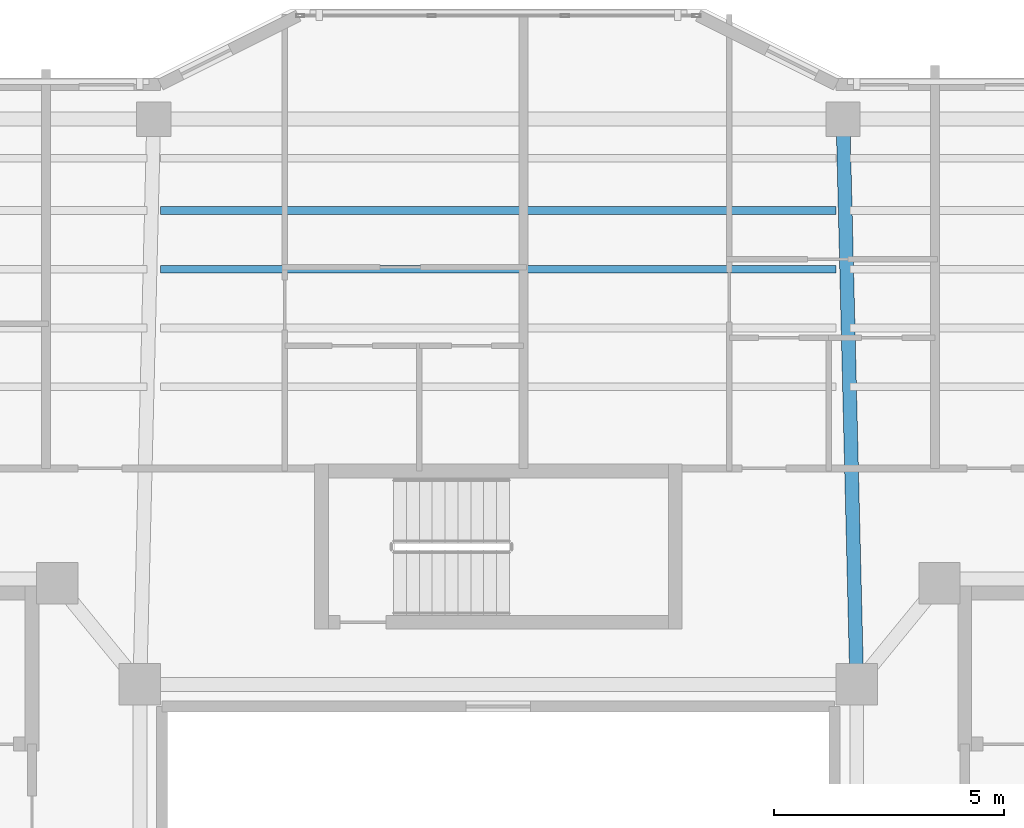
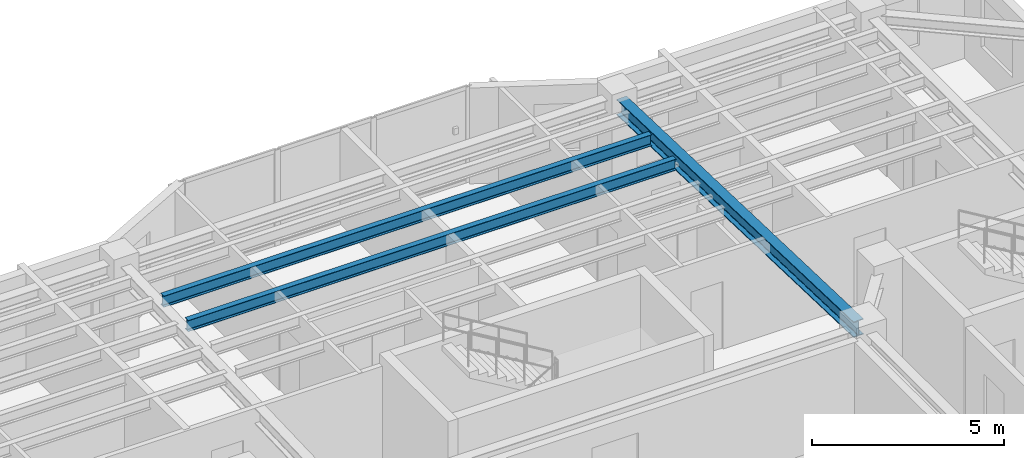
# One storey, part 2 of 13: 3 beams.
"""IFC4 building model written with IfcOpenShell, lengths in metres."""

from ifc_helpers import new_model, si_unit, direction, frame, origin, origin_2d, place, context, subcontext, project, spatial, i_section, extrude, material, material_profile, profile_set, type_object, element, save


model = new_model("IFC4")

# Units and contexts
model_context = context("Model", 3, precision=1e-05, world=origin(), true_north=direction((0.0, 1.0)))
body_context = subcontext(model_context, "Body", "Model", "MODEL_VIEW")
ifc_project = project(units=[si_unit("LENGTHUNIT", "METRE"), si_unit("AREAUNIT", "SQUARE_METRE"), si_unit("VOLUMEUNIT", "CUBIC_METRE"), si_unit("PLANEANGLEUNIT", "RADIAN"), si_unit("MASSUNIT", "GRAM", prefix="KILO")], contexts=[model_context])

# Site, building, storey
site_placement = place(None, origin())
site = spatial("IfcSite", under=ifc_project, at=site_placement, CompositionType="ELEMENT")
building_placement = place(site_placement, origin())
building = spatial("IfcBuilding", under=site, at=building_placement, Name="Tarnavaz Court Tower", CompositionType="ELEMENT")
storey_placement = place(building_placement, frame((0.0, 0.0, 223.75)))
storey = spatial("IfcBuildingStorey", under=building, at=storey_placement, Name="L61", CompositionType="ELEMENT", Elevation=223.75)

# Beams
ifc_material = material(Name="Steel S355", Category="steel")
ifc_material_profile_1 = material_profile(ifc_material, i_section(OverallWidth=0.300048828125, OverallDepth=0.5, WebThickness=0.014404296875, FlangeThickness=0.028076171875, FilletRadius=0.027099609375, at=origin_2d()), Name="HEB 500")
ifc_profile_set_1 = profile_set([ifc_material_profile_1], Name="Steel S355")
beam_type_1 = type_object("IfcBeamType", Name="BM-G-HEB500", PredefinedType="USERDEFINED", material=ifc_profile_set_1)
beam_placement = place(storey_placement, frame((7.794677734375, 8.02001953125, 2.800048828125), z_axis=(-0.024386002211, 0.99970261723, 0.0), x_axis=(-0.99970261723, -0.024386002211, 0.0)))
element("IfcBeam", 1, at=beam_placement, inside=storey, type_object=beam_type_1, Name="L61 Beam RG-03", ObjectType="GIRDER", PredefinedType="USERDEFINED", context=body_context, shape_type="SweptSolid", body=[
    extrude(i_section(OverallWidth=0.300048828125, OverallDepth=0.5, WebThickness=0.014404296875, FlangeThickness=0.028076171875, FilletRadius=0.027099609375, at=origin_2d()), origin(), (0.0, 0.0, 1.0), 11.863525390625),
])
ifc_material_profile_2 = material_profile(ifc_material, i_section(OverallWidth=0.169921875, OverallDepth=0.360107421875, WebThickness=0.008056640625, FlangeThickness=0.0126953125, FilletRadius=0.01806640625, at=origin_2d()), Name="IPE 360")
ifc_profile_set_2 = profile_set([ifc_material_profile_2], Name="Steel S355")
beam_type_2 = type_object("IfcBeamType", Name="BM-J-IPE360", PredefinedType="JOIST", material=ifc_profile_set_2)
for number, where, z_axis, x_axis, name in (
    (2, (-7.35009765625, 16.833984375, 2.8701171875), (1.0, 0.0, 0.0), (0.0, 1.0, 0.0), "L61 Beam JN3-2"),
    (3, (-7.35009765625, 18.112060546875, 2.8701171875), (1.0, 0.0, 0.0), (0.0, 1.0, 0.0), "L61 Beam JN4-2"),
):
    element("IfcBeam", number, at=place(storey_placement, frame(where, z_axis=z_axis, x_axis=x_axis)), inside=storey, type_object=beam_type_2, Name=name, PredefinedType="JOIST", context=body_context, shape_type="SweptSolid", body=[
        extrude(i_section(OverallWidth=0.169921875, OverallDepth=0.360107421875, WebThickness=0.008056640625, FlangeThickness=0.0126953125, FilletRadius=0.01806640625, at=origin_2d()), origin(), (0.0, 0.0, 1.0), 14.7001953125),
    ])

save(model, "model.ifc")
